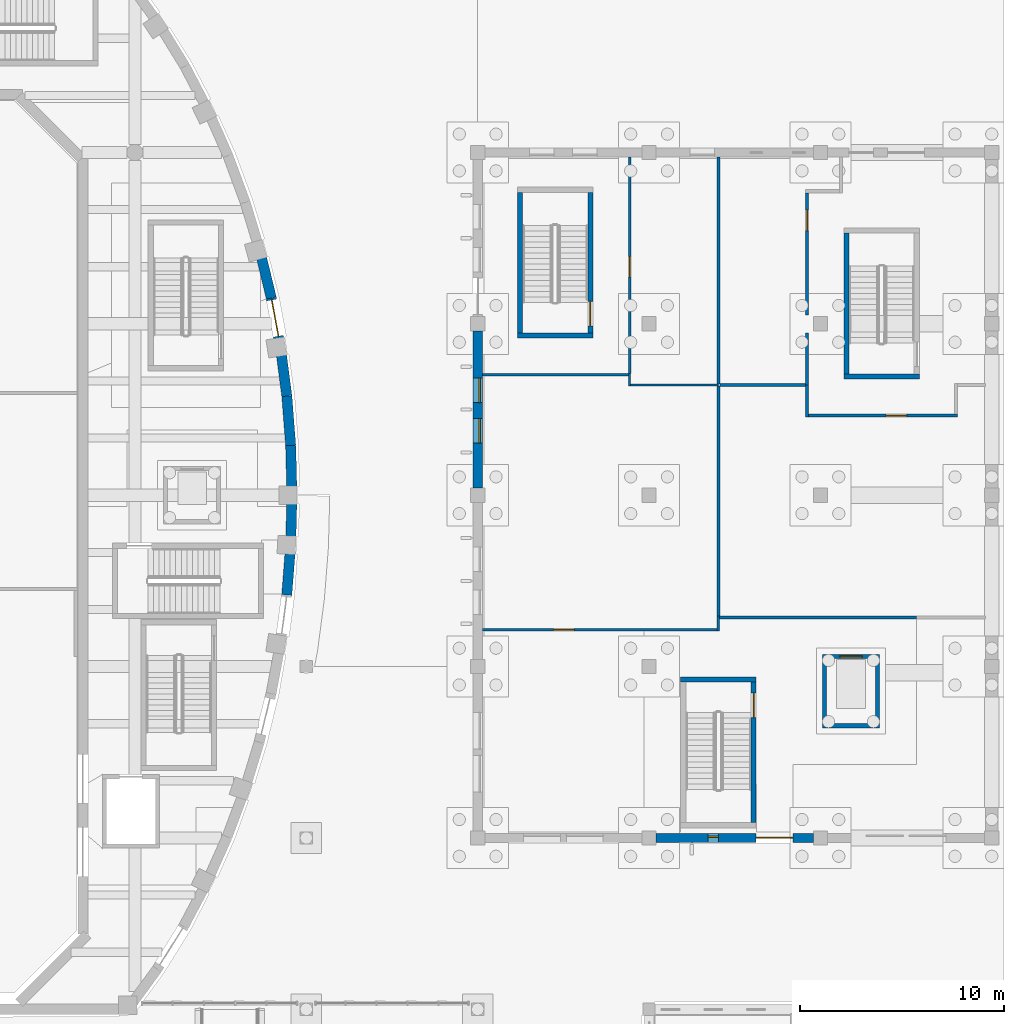
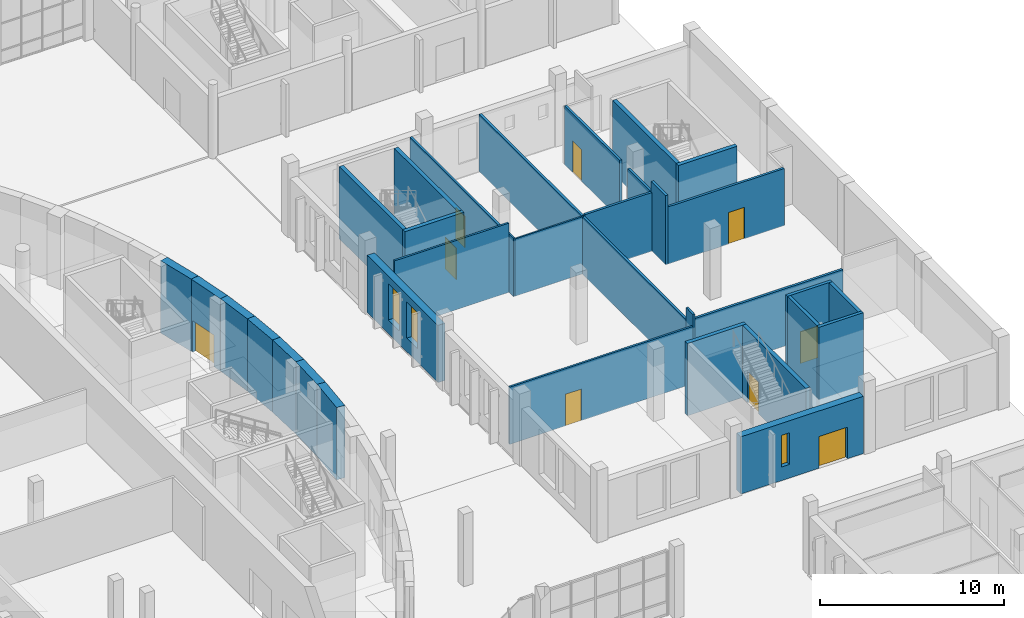
# One storey, part 66 of 110: 34 walls, 9 doors, 3 windows, 12 openings.
"""IFC4 building model written with IfcOpenShell, lengths in metres."""

from ifc_helpers import new_model, si_unit, direction, frame, frame_2d, origin, place, context, subcontext, project, spatial, rectangle, extrude, material, layer, layer_set, type_object, element, fill, save


model = new_model("IFC4")

# Units and contexts
model_context = context("Model", 3, precision=1e-05, world=origin(), true_north=direction((0.0, 1.0)))
body_context = subcontext(model_context, "Body", "Model", "MODEL_VIEW")
ifc_project = project(units=[si_unit("LENGTHUNIT", "METRE"), si_unit("AREAUNIT", "SQUARE_METRE"), si_unit("VOLUMEUNIT", "CUBIC_METRE"), si_unit("PLANEANGLEUNIT", "RADIAN"), si_unit("MASSUNIT", "GRAM", prefix="KILO")], contexts=[model_context])

# Site, building, storey
site_placement = place(None, origin())
site = spatial("IfcSite", under=ifc_project, at=site_placement, CompositionType="ELEMENT")
building_placement = place(site_placement, origin())
building = spatial("IfcBuilding", under=site, at=building_placement, Name="Larchfold Concert Hall", CompositionType="ELEMENT")
storey_placement = place(building_placement, origin())
storey = spatial("IfcBuildingStorey", under=building, at=storey_placement, Name="L00", CompositionType="ELEMENT", Elevation=0.0)

# Wall, openings, windows
ifc_material_1 = material(Name="Charred larch cladding on mineral wool and CLT", Category="wood")
ifc_layer_1 = layer(ifc_material_1, 0.449951171875)
ifc_layer_set_1 = layer_set([ifc_layer_1], Name="Charred larch cladding on mineral wool and CLT")
wall_type_1 = type_object("IfcWallType", Name="Charred larch infill wall 450", PredefinedType="SOLIDWALL", material=ifc_layer_set_1)
wall_1_placement = place(storey_placement, frame((76.199951171875, 92.64990234375, 0.0), z_axis=(0.0, 0.0, 1.0), x_axis=(0.0, -1.0, 0.0)))
wall_1 = element("IfcWall", 1, at=wall_1_placement, inside=storey, type_object=wall_type_1, Name="Infill wall W5072", PredefinedType="SOLIDWALL", context=body_context, shape_type="SweptSolid", body=[
    extrude(rectangle(XDim=7.69970703125, YDim=0.449951171875, at=frame_2d((3.849853515625, 0.0))), origin(), (0.0, 0.0, 1.0), 3.800048828125),
])
opening_1_placement = place(wall_1_placement, frame((4.2998046875, 0.0, 0.89990234375)))
opening_1 = element("IfcOpeningElement", 2, at=opening_1_placement, cuts=wall_1, Name="Opening WN-L00-039", PredefinedType="OPENING", context=body_context, shape_type="SweptSolid", body=[
    extrude(rectangle(XDim=1.199951171875, YDim=2.39990234375, at=frame_2d((0.60009765625, 1.199951171875))), frame((0.0, 0.23486328125, 0.0), z_axis=(0.0, -1.0, 0.0), x_axis=(1.0, 0.0, 0.0)), (0.0, 0.0, 1.0), 0.469970703125),
])
opening_2_placement = place(wall_1_placement, frame((2.31494140625, 0.0, 0.89990234375)))
opening_2 = element("IfcOpeningElement", 3, at=opening_2_placement, cuts=wall_1, Name="Opening WN-L00-040", PredefinedType="OPENING", context=body_context, shape_type="SweptSolid", body=[
    extrude(rectangle(XDim=1.199951171875, YDim=2.39990234375, at=frame_2d((0.60009765625, 1.199951171875))), frame((0.0, 0.23486328125, 0.0), z_axis=(0.0, -1.0, 0.0), x_axis=(1.0, 0.0, 0.0)), (0.0, 0.0, 1.0), 0.469970703125),
])
ifc_material_2 = material(Name="Anodised graphite aluminium frame with glass", Category="aluminium")
window_type_1 = type_object("IfcWindowType", Name="Slot window 1200x2400", PartitioningType="SINGLE_PANEL", PredefinedType="WINDOW", material=ifc_material_2)
window_1_placement = place(opening_1_placement, origin())
window_1 = element("IfcWindow", 4, at=window_1_placement, inside=storey, type_object=window_type_1, Name="Window WN-L00-039", OverallHeight=2.39990234375, OverallWidth=1.199951171875, PartitioningType="SINGLE_PANEL", PredefinedType="WINDOW", context=body_context, shape_type="SweptSolid", body=[
    extrude(rectangle(XDim=1.199951171875, YDim=2.39990234375, at=frame_2d((0.60009765625, 1.199951171875))), frame((0.0, 0.135009765625, 0.0), z_axis=(0.0, -1.0, 0.0), x_axis=(1.0, 0.0, 0.0)), (0.0, 0.0, 1.0), 0.06005859375),
])
fill(opening_1, window_1)
window_2_placement = place(opening_2_placement, origin())
window_2 = element("IfcWindow", 5, at=window_2_placement, inside=storey, type_object=window_type_1, Name="Window WN-L00-040", OverallHeight=2.39990234375, OverallWidth=1.199951171875, PartitioningType="SINGLE_PANEL", PredefinedType="WINDOW", context=body_context, shape_type="SweptSolid", body=[
    extrude(rectangle(XDim=1.199951171875, YDim=2.39990234375, at=frame_2d((0.60009765625, 1.199951171875))), frame((0.0, 0.135009765625, 0.0), z_axis=(0.0, -1.0, 0.0), x_axis=(1.0, 0.0, 0.0)), (0.0, 0.0, 1.0), 0.06005859375),
])
fill(opening_2, window_2)

# Wall, openings, door, window
wall_2_placement = place(storey_placement, frame((84.9501953125, 67.800048828125, 0.0), z_axis=(0.0, 0.0, 1.0), x_axis=(1.0, 0.0, 0.0)))
wall_2 = element("IfcWall", 6, at=wall_2_placement, inside=storey, type_object=wall_type_1, Name="Infill wall W5076", PredefinedType="SOLIDWALL", context=body_context, shape_type="SweptSolid", body=[
    extrude(rectangle(XDim=7.69970703125, YDim=0.449951171875, at=frame_2d((3.849853515625, 0.0))), origin(), (0.0, 0.0, 1.0), 3.800048828125),
])
opening_3_placement = place(wall_2_placement, frame((6.699951171875, 0.0, 0.0), z_axis=(0.0, 0.0, 1.0), x_axis=(-1.0, 0.0, 0.0)))
opening_3 = element("IfcOpeningElement", 7, at=opening_3_placement, cuts=wall_2, Name="Opening D-L00-220", PredefinedType="OPENING", context=body_context, shape_type="SweptSolid", body=[
    extrude(rectangle(XDim=1.800048828125, YDim=2.10009765625, at=frame_2d((0.89990234375, 1.050048828125))), frame((0.0, 0.23486328125, 0.0), z_axis=(0.0, -1.0, 0.0), x_axis=(1.0, 0.0, 0.0)), (0.0, 0.0, 1.0), 0.469970703125),
])
opening_4_placement = place(wall_2_placement, frame((2.5498046875, 0.0, 0.89990234375)))
opening_4 = element("IfcOpeningElement", 8, at=opening_4_placement, cuts=wall_2, Name="Opening WN-L00-047", PredefinedType="OPENING", context=body_context, shape_type="SweptSolid", body=[
    extrude(rectangle(XDim=0.5, YDim=2.10009765625, at=frame_2d((0.25, 1.050048828125))), frame((0.0, 0.23486328125, 0.0), z_axis=(0.0, -1.0, 0.0), x_axis=(1.0, 0.0, 0.0)), (0.0, 0.0, 1.0), 0.469970703125),
])
ifc_material_3 = material(Name="Anodised graphite aluminium door leaf", Category="aluminium")
door_type_1 = type_object("IfcDoorType", Name="Exit door double 1800x2100", OperationType="DOUBLE_DOOR_SINGLE_SWING", PredefinedType="DOOR", material=ifc_material_3)
door_1_placement = place(opening_3_placement, origin())
door_1 = element("IfcDoor", 9, at=door_1_placement, inside=storey, type_object=door_type_1, Name="Door D-L00-220", OperationType="DOUBLE_DOOR_SINGLE_SWING", OverallHeight=2.10009765625, OverallWidth=1.800048828125, PredefinedType="DOOR", context=body_context, shape_type="SweptSolid", body=[
    extrude(rectangle(XDim=1.800048828125, YDim=2.10009765625, at=frame_2d((0.89990234375, 1.050048828125))), frame((0.0, 0.02490234375, 0.0), z_axis=(0.0, -1.0, 0.0), x_axis=(1.0, 0.0, 0.0)), (0.0, 0.0, 1.0), 0.050048828125),
])
fill(opening_3, door_1)
ifc_material_4 = material(Name="Anodised graphite aluminium frame with glass", Category="aluminium")
window_type_2 = type_object("IfcWindowType", Name="Stair slot window 500x2100", PartitioningType="SINGLE_PANEL", PredefinedType="WINDOW", material=ifc_material_4)
window_3_placement = place(opening_4_placement, origin())
window_3 = element("IfcWindow", 10, at=window_3_placement, inside=storey, type_object=window_type_2, Name="Window WN-L00-047", OverallHeight=2.10009765625, OverallWidth=0.5, PartitioningType="SINGLE_PANEL", PredefinedType="WINDOW", context=body_context, shape_type="SweptSolid", body=[
    extrude(rectangle(XDim=0.5, YDim=2.10009765625, at=frame_2d((0.25, 1.050048828125))), frame((0.0, 0.0849609375, 0.0), z_axis=(0.0, -1.0, 0.0), x_axis=(1.0, 0.0, 0.0)), (0.0, 0.0, 1.0), 0.06005859375),
])
fill(opening_4, window_3)

# Wall
ifc_material_5 = material(Name="Plasterboard partition on steel studs", Category="steel")
ifc_layer_2 = layer(ifc_material_5, 0.125)
ifc_layer_set_2 = layer_set([ifc_layer_2], Name="Plasterboard partition on steel studs")
wall_type_2 = type_object("IfcWallType", Name="Corridor partition 125 EI 60", PredefinedType="PARTITIONING", material=ifc_layer_set_2)
wall_3_placement = place(storey_placement, frame((87.98681640625, 77.9375, 0.0), z_axis=(0.0, 0.0, 1.0), x_axis=(0.019540242435, 0.999809071236, 0.0)))
element("IfcWall", 11, at=wall_3_placement, inside=storey, type_object=wall_type_2, Name="Partition IW0076", PredefinedType="PARTITIONING", context=body_context, shape_type="SweptSolid", body=[
    extrude(rectangle(XDim=0.749755859375, YDim=0.125, at=frame_2d((0.375, 0.0))), origin(), (0.0, 0.0, 1.0), 4.60009765625),
])

# Wall, opening, door
wall_4_placement = place(storey_placement, frame((87.925537109375, 78.0, 0.0), z_axis=(0.0, 0.0, 1.0), x_axis=(-1.0, 0.0, 0.0)))
wall_4 = element("IfcWall", 12, at=wall_4_placement, inside=storey, type_object=wall_type_2, Name="Partition IW0077", PredefinedType="PARTITIONING", context=body_context, shape_type="SweptSolid", body=[
    extrude(rectangle(XDim=11.50048828125, YDim=0.125, at=frame_2d((5.750244140625, 0.0))), origin(), (0.0, 0.0, 1.0), 3.800048828125),
])
opening_5_placement = place(wall_4_placement, frame((7.000244140625, 0.0, 0.0)))
opening_5 = element("IfcOpeningElement", 13, at=opening_5_placement, cuts=wall_4, Name="Opening D-L00-129", PredefinedType="OPENING", context=body_context, shape_type="SweptSolid", body=[
    extrude(rectangle(XDim=1.0, YDim=2.10009765625, at=frame_2d((0.5, 1.050048828125))), frame((0.0, 0.072509765625, 0.0), z_axis=(0.0, -1.0, 0.0), x_axis=(1.0, 0.0, 0.0)), (0.0, 0.0, 1.0), 0.14501953125),
])
ifc_material_6 = material(Name="Timber door leaf", Category="wood")
door_type_2 = type_object("IfcDoorType", Name="Dressing room door 1000 x 2100 FD30S", OperationType="SINGLE_SWING_LEFT", PredefinedType="DOOR", material=ifc_material_6)
door_2_placement = place(opening_5_placement, origin())
door_2 = element("IfcDoor", 14, at=door_2_placement, inside=storey, type_object=door_type_2, Name="Door D-L00-129", OperationType="SINGLE_SWING_RIGHT", OverallHeight=2.10009765625, OverallWidth=1.0, PredefinedType="DOOR", context=body_context, shape_type="SweptSolid", body=[
    extrude(rectangle(XDim=1.0, YDim=2.10009765625, at=frame_2d((0.5, 1.050048828125))), frame((0.0, 0.02490234375, 0.0), z_axis=(0.0, -1.0, 0.0), x_axis=(1.0, 0.0, 0.0)), (0.0, 0.0, 1.0), 0.050048828125),
])
fill(opening_5, door_2)

# Wall
wall_5_placement = place(storey_placement, frame((76.425048828125, 90.5, 0.0), z_axis=(0.0, 0.0, 1.0), x_axis=(1.0, 0.0, 0.0)))
element("IfcWall", 15, at=wall_5_placement, inside=storey, type_object=wall_type_2, Name="Partition IW0082", PredefinedType="PARTITIONING", context=body_context, shape_type="SweptSolid", body=[
    extrude(rectangle(XDim=7.175048828125, YDim=0.125, at=frame_2d((3.58740234375, 0.0))), origin(), (0.0, 0.0, 1.0), 4.60009765625),
])

# Wall, opening, door
wall_6_placement = place(storey_placement, frame((83.64990234375, 90.56591796875, 0.0), z_axis=(0.0, 0.0, 1.0), x_axis=(0.0, 1.0, 0.0)))
wall_6 = element("IfcWall", 16, at=wall_6_placement, inside=storey, type_object=wall_type_2, Name="Partition IW0085", PredefinedType="PARTITIONING", context=body_context, shape_type="SweptSolid", body=[
    extrude(rectangle(XDim=10.60888671875, YDim=0.125, at=frame_2d((5.304443359375, 0.0))), origin(), (0.0, 0.0, 1.0), 3.800048828125),
])
opening_6_placement = place(wall_6_placement, frame((4.73388671875, 0.0, 0.0)))
opening_6 = element("IfcOpeningElement", 17, at=opening_6_placement, cuts=wall_6, Name="Opening D-L00-130", PredefinedType="OPENING", context=body_context, shape_type="SweptSolid", body=[
    extrude(rectangle(XDim=1.0, YDim=2.10009765625, at=frame_2d((0.5, 1.050048828125))), frame((0.0, 0.072509765625, 0.0), z_axis=(0.0, -1.0, 0.0), x_axis=(1.0, 0.0, 0.0)), (0.0, 0.0, 1.0), 0.14501953125),
])
door_3_placement = place(opening_6_placement, origin())
door_3 = element("IfcDoor", 18, at=door_3_placement, inside=storey, type_object=door_type_2, Name="Door D-L00-130", OperationType="SINGLE_SWING_RIGHT", OverallHeight=2.10009765625, OverallWidth=1.0, PredefinedType="DOOR", context=body_context, shape_type="SweptSolid", body=[
    extrude(rectangle(XDim=1.0, YDim=2.10009765625, at=frame_2d((0.5, 1.050048828125))), frame((0.0, 0.02490234375, 0.0), z_axis=(0.0, -1.0, 0.0), x_axis=(1.0, 0.0, 0.0)), (0.0, 0.0, 1.0), 0.050048828125),
])
fill(opening_6, door_3)

# Walls
ifc_material_7 = material(Name="Plasterboard partition on steel studs", Category="steel")
ifc_layer_3 = layer(ifc_material_7, 0.14990234375)
ifc_layer_set_3 = layer_set([ifc_layer_3], Name="Plasterboard partition on steel studs")
wall_type_3 = type_object("IfcWallType", Name="Shaft and plant partition 150 EI 120", PredefinedType="PARTITIONING", material=ifc_layer_set_3)
wall_7_placement = place(storey_placement, frame((88.0625, 78.61181640625, 0.0), z_axis=(0.0, 0.0, 1.0), x_axis=(0.9999991322, -0.001317421775, 0.0)))
element("IfcWall", 19, at=wall_7_placement, inside=storey, type_object=wall_type_3, Name="Partition IW0078", PredefinedType="PARTITIONING", context=body_context, shape_type="SweptSolid", body=[
    extrude(rectangle(XDim=9.636474609375, YDim=0.14990234375, at=frame_2d((4.818359375, 0.0))), origin(), (0.0, 0.0, 1.0), 3.800048828125),
])
wall_8_placement = place(storey_placement, frame((88.0, 89.949951171875, 0.0), z_axis=(0.0, 0.0, 1.0), x_axis=(0.0, -1.0, 0.0)))
element("IfcWall", 20, at=wall_8_placement, inside=storey, type_object=wall_type_3, Name="Partition IW0081", PredefinedType="PARTITIONING", context=body_context, shape_type="SweptSolid", body=[
    extrude(rectangle(XDim=11.259033203125, YDim=0.14990234375, at=frame_2d((5.62939453125, 0.0))), origin(), (0.0, 0.0, 1.0), 3.800048828125),
])
wall_9_placement = place(storey_placement, frame((88.0, 101.1748046875, 0.0), z_axis=(0.0, 0.0, 1.0), x_axis=(0.0, -1.0, 0.0)))
element("IfcWall", 21, at=wall_9_placement, inside=storey, type_object=wall_type_3, Name="Partition IW0084", PredefinedType="PARTITIONING", context=body_context, shape_type="SweptSolid", body=[
    extrude(rectangle(XDim=11.124755859375, YDim=0.14990234375, at=frame_2d((5.5625, 0.0))), origin(), (0.0, 0.0, 1.0), 3.800048828125),
])
wall_10_placement = place(storey_placement, frame((92.27490234375, 90.0, 0.0), z_axis=(0.0, 0.0, 1.0), x_axis=(-1.0, 0.0, 0.0)))
element("IfcWall", 22, at=wall_10_placement, inside=storey, type_object=wall_type_3, Name="Partition IW0086", PredefinedType="PARTITIONING", context=body_context, shape_type="SweptSolid", body=[
    extrude(rectangle(XDim=4.199951171875, YDim=0.14990234375, at=frame_2d((2.10009765625, 0.0))), origin(), (0.0, 0.0, 1.0), 3.89990234375),
])
wall_11_placement = place(storey_placement, frame((92.35009765625, 92.554931640625, 0.0), z_axis=(0.0, 0.0, 1.0), x_axis=(0.0, -1.0, 0.0)))
element("IfcWall", 23, at=wall_11_placement, inside=storey, type_object=wall_type_3, Name="Partition IW0087", PredefinedType="PARTITIONING", context=body_context, shape_type="SweptSolid", body=[
    extrude(rectangle(XDim=2.554931640625, YDim=0.14990234375, at=frame_2d((1.27734375, 0.0))), origin(), (0.0, 0.0, 1.0), 3.89990234375),
])

# Wall, opening, door
wall_12_placement = place(storey_placement, frame((92.35009765625, 99.425048828125, 0.0), z_axis=(0.0, 0.0, 1.0), x_axis=(0.000163305297, -0.999999986666, 0.0)))
wall_12 = element("IfcWall", 24, at=wall_12_placement, inside=storey, type_object=wall_type_3, Name="Partition IW0090", PredefinedType="PARTITIONING", context=body_context, shape_type="SweptSolid", body=[
    extrude(rectangle(XDim=5.97998046875, YDim=0.14990234375, at=frame_2d((2.989990234375, 0.0))), origin(), (0.0, 0.0, 1.0), 3.89990234375),
])
opening_7_placement = place(wall_12_placement, frame((0.85498046875, 0.0, 0.0)))
opening_7 = element("IfcOpeningElement", 25, at=opening_7_placement, cuts=wall_12, Name="Opening D-L00-131", PredefinedType="OPENING", context=body_context, shape_type="SweptSolid", body=[
    extrude(rectangle(XDim=1.0, YDim=2.10009765625, at=frame_2d((0.5, 1.050048828125))), frame((0.0, 0.0849609375, 0.0), z_axis=(0.0, -1.0, 0.0), x_axis=(1.0, 0.0, 0.0)), (0.0, 0.0, 1.0), 0.169921875),
])
ifc_material_8 = material(Name="Timber door leaf", Category="wood")
door_type_3 = type_object("IfcDoorType", Name="Store door 1000 x 2100 FD60", OperationType="SINGLE_SWING_LEFT", PredefinedType="DOOR", material=ifc_material_8)
door_4_placement = place(opening_7_placement, origin())
door_4 = element("IfcDoor", 26, at=door_4_placement, inside=storey, type_object=door_type_3, Name="Door D-L00-131", OperationType="SINGLE_SWING_RIGHT", OverallHeight=2.10009765625, OverallWidth=1.0, PredefinedType="DOOR", context=body_context, shape_type="SweptSolid", body=[
    extrude(rectangle(XDim=1.0, YDim=2.10009765625, at=frame_2d((0.5, 1.050048828125))), frame((0.0, 0.02490234375, 0.0), z_axis=(0.0, -1.0, 0.0), x_axis=(1.0, 0.0, 0.0)), (0.0, 0.0, 1.0), 0.050048828125),
])
fill(opening_7, door_4)

# Wall
wall_13_placement = place(storey_placement, frame((92.35009765625, 90.0, 0.0), z_axis=(0.0, 0.0, 1.0), x_axis=(0.0, -1.0, 0.0)))
element("IfcWall", 27, at=wall_13_placement, inside=storey, type_object=wall_type_3, Name="Partition IW0091", PredefinedType="PARTITIONING", context=body_context, shape_type="SweptSolid", body=[
    extrude(rectangle(XDim=1.574951171875, YDim=0.14990234375, at=frame_2d((0.78759765625, 0.0))), origin(), (0.0, 0.0, 1.0), 4.60009765625),
])

# Wall, opening, door
wall_14_placement = place(storey_placement, frame((92.425048828125, 88.5, 0.0), z_axis=(0.0, 0.0, 1.0), x_axis=(1.0, 0.0, 0.0)))
wall_14 = element("IfcWall", 28, at=wall_14_placement, inside=storey, type_object=wall_type_3, Name="Partition IW0092", PredefinedType="PARTITIONING", context=body_context, shape_type="SweptSolid", body=[
    extrude(rectangle(XDim=7.300048828125, YDim=0.14990234375, at=frame_2d((3.64990234375, 0.0))), origin(), (0.0, 0.0, 1.0), 3.800048828125),
])
opening_8_placement = place(wall_14_placement, frame((3.80029296875, 0.0, 0.0)))
opening_8 = element("IfcOpeningElement", 29, at=opening_8_placement, cuts=wall_14, Name="Opening D-L00-132", PredefinedType="OPENING", context=body_context, shape_type="SweptSolid", body=[
    extrude(rectangle(XDim=1.0, YDim=2.10009765625, at=frame_2d((0.5, 1.050048828125))), frame((0.0, 0.0849609375, 0.0), z_axis=(0.0, -1.0, 0.0), x_axis=(1.0, 0.0, 0.0)), (0.0, 0.0, 1.0), 0.169921875),
])
ifc_material_9 = material(Name="Timber door leaf", Category="wood")
door_type_4 = type_object("IfcDoorType", Name="Plant room door 1000 x 2100 FD60", OperationType="SINGLE_SWING_LEFT", PredefinedType="DOOR", material=ifc_material_9)
door_5_placement = place(opening_8_placement, origin())
door_5 = element("IfcDoor", 30, at=door_5_placement, inside=storey, type_object=door_type_4, Name="Door D-L00-132", OperationType="SINGLE_SWING_LEFT", OverallHeight=2.10009765625, OverallWidth=1.0, PredefinedType="DOOR", context=body_context, shape_type="SweptSolid", body=[
    extrude(rectangle(XDim=1.0, YDim=2.10009765625, at=frame_2d((0.5, 1.050048828125))), frame((0.0, 0.02490234375, 0.0), z_axis=(0.0, -1.0, 0.0), x_axis=(1.0, 0.0, 0.0)), (0.0, 0.0, 1.0), 0.050048828125),
])
fill(opening_8, door_5)

# Walls
ifc_material_10 = material(Name="Plasterboard partition on steel studs", Category="steel")
ifc_layer_4 = layer(ifc_material_10, 0.10009765625)
ifc_layer_set_4 = layer_set([ifc_layer_4], Name="Plasterboard partition on steel studs")
wall_type_4 = type_object("IfcWallType", Name="Stud partition 100", PredefinedType="PARTITIONING", material=ifc_layer_set_4)
wall_15_placement = place(storey_placement, frame((83.64990234375, 90.5625, 0.0), z_axis=(0.0, 0.0, 1.0), x_axis=(0.0, -1.0, 0.0)))
element("IfcWall", 31, at=wall_15_placement, inside=storey, type_object=wall_type_4, Name="Partition IW0079", PredefinedType="PARTITIONING", context=body_context, shape_type="SweptSolid", body=[
    extrude(rectangle(XDim=0.612548828125, YDim=0.10009765625, at=frame_2d((0.30615234375, 0.0))), origin(), (0.0, 0.0, 1.0), 3.89990234375),
])
wall_16_placement = place(storey_placement, frame((83.699951171875, 90.0, 0.0), z_axis=(0.0, 0.0, 1.0), x_axis=(1.0, 0.0, 0.0)))
element("IfcWall", 32, at=wall_16_placement, inside=storey, type_object=wall_type_4, Name="Partition IW0080", PredefinedType="PARTITIONING", context=body_context, shape_type="SweptSolid", body=[
    extrude(rectangle(XDim=4.300048828125, YDim=0.10009765625, at=frame_2d((2.14990234375, 0.0))), origin(), (0.0, 0.0, 1.0), 3.800048828125),
])
ifc_material_11 = material(Name="Concrete C40/50", Category="concrete")
ifc_layer_5 = layer(ifc_material_11, 0.199951171875)
ifc_layer_set_5 = layer_set([ifc_layer_5], Name="Concrete C40/50")
wall_type_5 = type_object("IfcWallType", Name="Wall RC 200 lift shaft", PredefinedType="SOLIDWALL", material=ifc_layer_set_5)
wall_17_placement = place(storey_placement, frame((93.10009765625, 73.300048828125, -1.39990234375), z_axis=(0.0, 0.0, 1.0), x_axis=(1.0, 0.0, 0.0)))
element("IfcWall", 33, at=wall_17_placement, inside=storey, type_object=wall_type_5, Name="Wall W0169", PredefinedType="SOLIDWALL", context=body_context, shape_type="SweptSolid", body=[
    extrude(rectangle(XDim=2.7998046875, YDim=0.199951171875, at=frame_2d((1.39990234375, 0.0))), origin(), (0.0, 0.0, 1.0), 6.199951171875),
])

# Wall, opening, door
wall_18_placement = place(storey_placement, frame((93.10009765625, 76.699951171875, -1.39990234375), z_axis=(0.0, 0.0, 1.0), x_axis=(1.0, 0.0, 0.0)))
wall_18 = element("IfcWall", 34, at=wall_18_placement, inside=storey, type_object=wall_type_5, Name="Wall W0170", PredefinedType="SOLIDWALL", context=body_context, shape_type="SweptSolid", body=[
    extrude(rectangle(XDim=2.7998046875, YDim=0.199951171875, at=frame_2d((1.39990234375, 0.0))), origin(), (0.0, 0.0, 1.0), 6.199951171875),
])
opening_9_placement = place(wall_18_placement, frame((0.849853515625, 0.0, 1.39990234375)))
opening_9 = element("IfcOpeningElement", 35, at=opening_9_placement, cuts=wall_18, Name="Opening LD-LF08", PredefinedType="OPENING", context=body_context, shape_type="SweptSolid", body=[
    extrude(rectangle(XDim=1.10009765625, YDim=2.10009765625, at=frame_2d((0.550048828125, 1.050048828125))), frame((0.0, 0.10986328125, 0.0), z_axis=(0.0, -1.0, 0.0), x_axis=(1.0, 0.0, 0.0)), (0.0, 0.0, 1.0), 0.219970703125),
])
ifc_material_12 = material(Name="Stainless steel sliding leaves", Category="steel")
door_type_5 = type_object("IfcDoorType", Name="Lift landing door sliding 1100 x 2100", OperationType="SLIDING_TO_LEFT", PredefinedType="DOOR", material=ifc_material_12)
door_6_placement = place(opening_9_placement, origin())
door_6 = element("IfcDoor", 36, at=door_6_placement, inside=storey, type_object=door_type_5, Name="Lift landing door LF08", OperationType="SLIDING_TO_LEFT", OverallHeight=2.10009765625, OverallWidth=1.10009765625, PredefinedType="DOOR", context=body_context, shape_type="SweptSolid", body=[
    extrude(rectangle(XDim=1.10009765625, YDim=2.10009765625, at=frame_2d((0.550048828125, 1.050048828125))), frame((0.0, 0.02490234375, 0.0), z_axis=(0.0, -1.0, 0.0), x_axis=(1.0, 0.0, 0.0)), (0.0, 0.0, 1.0), 0.050048828125),
])
fill(opening_9, door_6)

# Walls
for number, where, z_axis, x_axis, name in (
    (37, (93.2001953125, 73.39990234375, -1.39990234375), (0.0, 0.0, 1.0), (0.0, 1.0, 0.0), "Wall W0171"),
    (38, (95.7998046875, 73.39990234375, -1.39990234375), (0.0, 0.0, 1.0), (0.0, 1.0, 0.0), "Wall W0172"),
):
    element("IfcWall", number, at=place(storey_placement, frame(where, z_axis=z_axis, x_axis=x_axis)), inside=storey, type_object=wall_type_5, Name=name, PredefinedType="SOLIDWALL", context=body_context, shape_type="SweptSolid", body=[
        extrude(rectangle(XDim=3.2001953125, YDim=0.199951171875, at=frame_2d((1.60009765625, 0.0))), origin(), (0.0, 0.0, 1.0), 6.199951171875),
    ])
ifc_material_13 = material(Name="Concrete C40/50", Category="concrete")
ifc_layer_6 = layer(ifc_material_13, 0.25)
ifc_layer_set_6 = layer_set([ifc_layer_6], Name="Concrete C40/50")
wall_type_6 = type_object("IfcWallType", Name="Wall RC 250 stair core", PredefinedType="SOLIDWALL", material=ifc_layer_set_6)
wall_19_placement = place(storey_placement, frame((86.14990234375, 75.574951171875, 0.0), z_axis=(0.0, 0.0, 1.0), x_axis=(1.0, 0.0, 0.0)))
element("IfcWall", 39, at=wall_19_placement, inside=storey, type_object=wall_type_6, Name="Wall W0094", PredefinedType="SOLIDWALL", context=body_context, shape_type="SweptSolid", body=[
    extrude(rectangle(XDim=3.7001953125, YDim=0.25, at=frame_2d((1.85009765625, 0.0))), origin(), (0.0, 0.0, 1.0), 4.800048828125),
])

# Wall, opening, door
wall_20_placement = place(storey_placement, frame((89.72509765625, 68.550048828125, 0.0), z_axis=(0.0, 0.0, 1.0), x_axis=(0.0, 1.0, 0.0)))
wall_20 = element("IfcWall", 40, at=wall_20_placement, inside=storey, type_object=wall_type_6, Name="Wall W0096", PredefinedType="SOLIDWALL", context=body_context, shape_type="SweptSolid", body=[
    extrude(rectangle(XDim=6.89990234375, YDim=0.25, at=frame_2d((3.449951171875, 0.0))), origin(), (0.0, 0.0, 1.0), 4.800048828125),
])
opening_10_placement = place(wall_20_placement, frame((5.14990234375, 0.0, 0.0)))
opening_10 = element("IfcOpeningElement", 41, at=opening_10_placement, cuts=wall_20, Name="Opening D-L00-169", PredefinedType="OPENING", context=body_context, shape_type="SweptSolid", body=[
    extrude(rectangle(XDim=1.199951171875, YDim=2.10009765625, at=frame_2d((0.60009765625, 1.050048828125))), frame((0.0, 0.135009765625, 0.0), z_axis=(0.0, -1.0, 0.0), x_axis=(1.0, 0.0, 0.0)), (0.0, 0.0, 1.0), 0.27001953125),
])
ifc_material_14 = material(Name="Timber door leaf", Category="wood")
door_type_6 = type_object("IfcDoorType", Name="Stair enclosure door pair 1200 x 2100 FD60", OperationType="SINGLE_SWING_LEFT", PredefinedType="DOOR", material=ifc_material_14)
door_7_placement = place(opening_10_placement, origin())
door_7 = element("IfcDoor", 42, at=door_7_placement, inside=storey, type_object=door_type_6, Name="Door D-L00-169", OperationType="DOUBLE_DOOR_SINGLE_SWING", OverallHeight=2.10009765625, OverallWidth=1.199951171875, PredefinedType="DOOR", context=body_context, shape_type="SweptSolid", body=[
    extrude(rectangle(XDim=1.199951171875, YDim=2.10009765625, at=frame_2d((0.60009765625, 1.050048828125))), frame((0.0, 0.02490234375, 0.0), z_axis=(0.0, -1.0, 0.0), x_axis=(1.0, 0.0, 0.0)), (0.0, 0.0, 1.0), 0.050048828125),
])
fill(opening_10, door_7)

# Walls
wall_21_placement = place(storey_placement, frame((78.14990234375, 92.425048828125, 0.0), z_axis=(0.0, 0.0, 1.0), x_axis=(1.0, 0.0, 0.0)))
element("IfcWall", 43, at=wall_21_placement, inside=storey, type_object=wall_type_6, Name="Wall W0097", PredefinedType="SOLIDWALL", context=body_context, shape_type="SweptSolid", body=[
    extrude(rectangle(XDim=3.7001953125, YDim=0.25, at=frame_2d((1.85009765625, 0.0))), origin(), (0.0, 0.0, 1.0), 4.800048828125),
])
wall_22_placement = place(storey_placement, frame((78.27490234375, 92.550048828125, 0.0), z_axis=(0.0, 0.0, 1.0), x_axis=(0.0, 1.0, 0.0)))
element("IfcWall", 44, at=wall_22_placement, inside=storey, type_object=wall_type_6, Name="Wall W0099", PredefinedType="SOLIDWALL", context=body_context, shape_type="SweptSolid", body=[
    extrude(rectangle(XDim=6.89990234375, YDim=0.25, at=frame_2d((3.449951171875, 0.0))), origin(), (0.0, 0.0, 1.0), 4.800048828125),
])

# Wall, opening, door
wall_23_placement = place(storey_placement, frame((81.72509765625, 92.550048828125, 0.0), z_axis=(0.0, 0.0, 1.0), x_axis=(0.0, 1.0, 0.0)))
wall_23 = element("IfcWall", 45, at=wall_23_placement, inside=storey, type_object=wall_type_6, Name="Wall W0100", PredefinedType="SOLIDWALL", context=body_context, shape_type="SweptSolid", body=[
    extrude(rectangle(XDim=6.89990234375, YDim=0.25, at=frame_2d((3.449951171875, 0.0))), origin(), (0.0, 0.0, 1.0), 4.800048828125),
])
opening_11_placement = place(wall_23_placement, frame((0.35009765625, 0.0, 0.0)))
opening_11 = element("IfcOpeningElement", 46, at=opening_11_placement, cuts=wall_23, Name="Opening D-L00-171", PredefinedType="OPENING", context=body_context, shape_type="SweptSolid", body=[
    extrude(rectangle(XDim=1.199951171875, YDim=2.10009765625, at=frame_2d((0.60009765625, 1.050048828125))), frame((0.0, 0.135009765625, 0.0), z_axis=(0.0, -1.0, 0.0), x_axis=(1.0, 0.0, 0.0)), (0.0, 0.0, 1.0), 0.27001953125),
])
door_8_placement = place(opening_11_placement, origin())
door_8 = element("IfcDoor", 47, at=door_8_placement, inside=storey, type_object=door_type_6, Name="Door D-L00-171", OperationType="DOUBLE_DOOR_SINGLE_SWING", OverallHeight=2.10009765625, OverallWidth=1.199951171875, PredefinedType="DOOR", context=body_context, shape_type="SweptSolid", body=[
    extrude(rectangle(XDim=1.199951171875, YDim=2.10009765625, at=frame_2d((0.60009765625, 1.050048828125))), frame((0.0, 0.02490234375, 0.0), z_axis=(0.0, -1.0, 0.0), x_axis=(1.0, 0.0, 0.0)), (0.0, 0.0, 1.0), 0.050048828125),
])
fill(opening_11, door_8)

# Walls
wall_24_placement = place(storey_placement, frame((94.14990234375, 90.425048828125, 0.0), z_axis=(0.0, 0.0, 1.0), x_axis=(1.0, 0.0, 0.0)))
element("IfcWall", 48, at=wall_24_placement, inside=storey, type_object=wall_type_6, Name="Wall W0101", PredefinedType="SOLIDWALL", context=body_context, shape_type="SweptSolid", body=[
    extrude(rectangle(XDim=3.7001953125, YDim=0.25, at=frame_2d((1.85009765625, 0.0))), origin(), (0.0, 0.0, 1.0), 4.800048828125),
])
wall_25_placement = place(storey_placement, frame((94.27490234375, 90.550048828125, 0.0), z_axis=(0.0, 0.0, 1.0), x_axis=(0.0, 1.0, 0.0)))
element("IfcWall", 49, at=wall_25_placement, inside=storey, type_object=wall_type_6, Name="Wall W0103", PredefinedType="SOLIDWALL", context=body_context, shape_type="SweptSolid", body=[
    extrude(rectangle(XDim=6.89990234375, YDim=0.25, at=frame_2d((3.449951171875, 0.0))), origin(), (0.0, 0.0, 1.0), 4.800048828125),
])
ifc_material_15 = material(Name="Concrete C30/37", Category="concrete")
ifc_layer_7 = layer(ifc_material_15, 0.5)
ifc_layer_set_7 = layer_set([ifc_layer_7], Name="Concrete C30/37")
wall_type_7 = type_object("IfcWallType", Name="Wall RC 500 drum facade", PredefinedType="SOLIDWALL", material=ifc_layer_set_7)
for number, where, z_axis, x_axis, name in (
    (50, (67.10009765625, 84.60009765625, 0.0), (0.0, 0.0, 1.0), (-0.025779107921, 0.999667663574, 0.0), "Wall DW001"),
    (51, (67.037353515625, 87.033203125, 0.0), (0.0, 0.0, 1.0), (-0.077540262419, 0.996989221458, 0.0), "Wall DW002"),
    (52, (66.8486328125, 89.459716796875, 0.0), (0.0, 0.0, 1.0), (-0.129699392582, 0.991553360926, 0.0), "Wall DW003"),
):
    element("IfcWall", number, at=place(storey_placement, frame(where, z_axis=z_axis, x_axis=x_axis)), inside=storey, type_object=wall_type_7, Name=name, PredefinedType="SOLIDWALL", context=body_context, shape_type="SweptSolid", body=[
        extrude(rectangle(XDim=2.433837890625, YDim=0.5, at=frame_2d((1.216796875, 0.0))), origin(), (0.0, 0.0, 1.0), 4.800048828125),
    ])

# Wall, opening, door
wall_26_placement = place(storey_placement, frame((66.532958984375, 91.873046875, 0.0), z_axis=(0.0, 0.0, 1.0), x_axis=(-0.182362243365, 0.983231413348, 0.0)))
wall_26 = element("IfcWall", 53, at=wall_26_placement, inside=storey, type_object=wall_type_7, Name="Wall DW004", PredefinedType="SOLIDWALL", context=body_context, shape_type="SweptSolid", body=[
    extrude(rectangle(XDim=2.433837890625, YDim=0.5, at=frame_2d((1.216796875, 0.0))), origin(), (0.0, 0.0, 1.0), 4.800048828125),
])
opening_12_placement = place(wall_26_placement, frame((2.333984375, 0.0, 0.0), z_axis=(0.0, 0.0, 1.0), x_axis=(-1.0, 0.0, 0.0)))
opening_12 = element("IfcOpeningElement", 54, at=opening_12_placement, cuts=wall_26, Name="Opening D-L00-201", PredefinedType="OPENING", context=body_context, shape_type="SweptSolid", body=[
    extrude(rectangle(XDim=1.800048828125, YDim=2.10009765625, at=frame_2d((0.89990234375, 1.050048828125))), frame((0.0, 0.260009765625, 0.0), z_axis=(0.0, -1.0, 0.0), x_axis=(1.0, 0.0, 0.0)), (0.0, 0.0, 1.0), 0.52001953125),
])
door_9_placement = place(opening_12_placement, origin())
door_9 = element("IfcDoor", 55, at=door_9_placement, inside=storey, type_object=door_type_1, Name="Door D-L00-201", OperationType="DOUBLE_DOOR_SINGLE_SWING", OverallHeight=2.10009765625, OverallWidth=1.800048828125, PredefinedType="DOOR", context=body_context, shape_type="SweptSolid", body=[
    extrude(rectangle(XDim=1.800048828125, YDim=2.10009765625, at=frame_2d((0.89990234375, 1.050048828125))), frame((0.0, 0.02490234375, 0.0), z_axis=(0.0, -1.0, 0.0), x_axis=(1.0, 0.0, 0.0)), (0.0, 0.0, 1.0), 0.050048828125),
])
fill(opening_12, door_9)

# Walls
wall_27_placement = place(storey_placement, frame((66.089111328125, 94.26611328125, 0.0), z_axis=(0.0, 0.0, 1.0), x_axis=(-0.235921551206, 0.971772103776, 0.0)))
element("IfcWall", 56, at=wall_27_placement, inside=storey, type_object=wall_type_7, Name="Wall DW005", PredefinedType="SOLIDWALL", context=body_context, shape_type="SweptSolid", body=[
    extrude(rectangle(XDim=2.433837890625, YDim=0.5, at=frame_2d((1.216796875, 0.0))), origin(), (0.0, 0.0, 1.0), 4.800048828125),
])
wall_28_placement = place(storey_placement, frame((66.845458984375, 79.710205078125, 0.0), z_axis=(0.0, 0.0, 1.0), x_axis=(0.078053315948, 0.996949186202, 0.0)))
element("IfcWall", 57, at=wall_28_placement, inside=storey, type_object=wall_type_7, Name="Wall DW060", PredefinedType="SOLIDWALL", context=body_context, shape_type="SweptSolid", body=[
    extrude(rectangle(XDim=2.44921875, YDim=0.5, at=frame_2d((1.224609375, 0.0))), origin(), (0.0, 0.0, 1.0), 4.800048828125),
])
wall_29_placement = place(storey_placement, frame((67.03662109375, 82.15185546875, 0.0), z_axis=(0.0, 0.0, 1.0), x_axis=(0.02591869307, 0.999664054245, 0.0)))
element("IfcWall", 58, at=wall_29_placement, inside=storey, type_object=wall_type_7, Name="Wall DW061", PredefinedType="SOLIDWALL", context=body_context, shape_type="SweptSolid", body=[
    extrude(rectangle(XDim=2.448974609375, YDim=0.5, at=frame_2d((1.224609375, 0.0))), origin(), (0.0, 0.0, 1.0), 4.800048828125),
])

save(model, "model.ifc")
